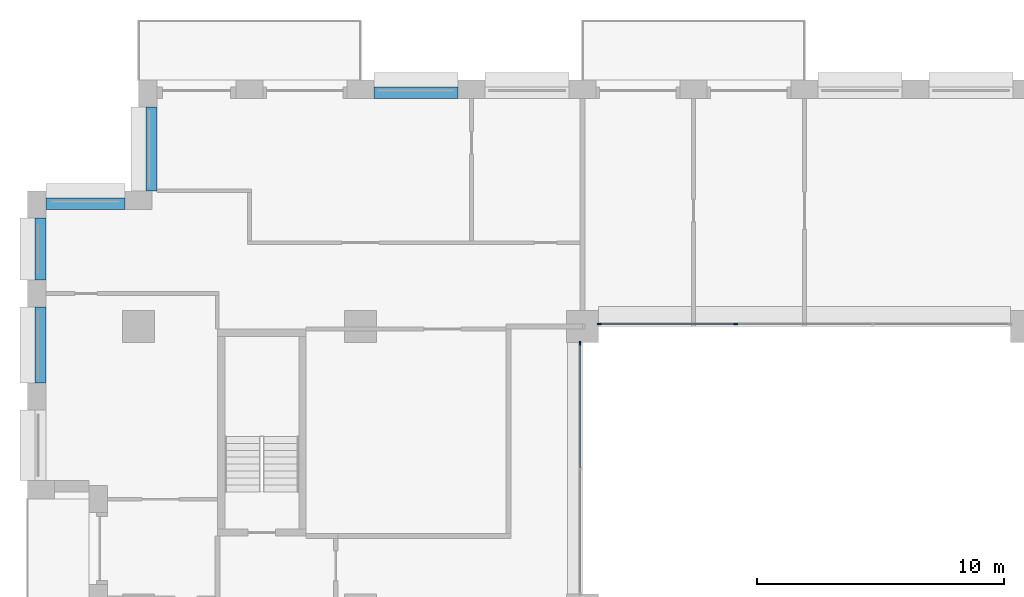
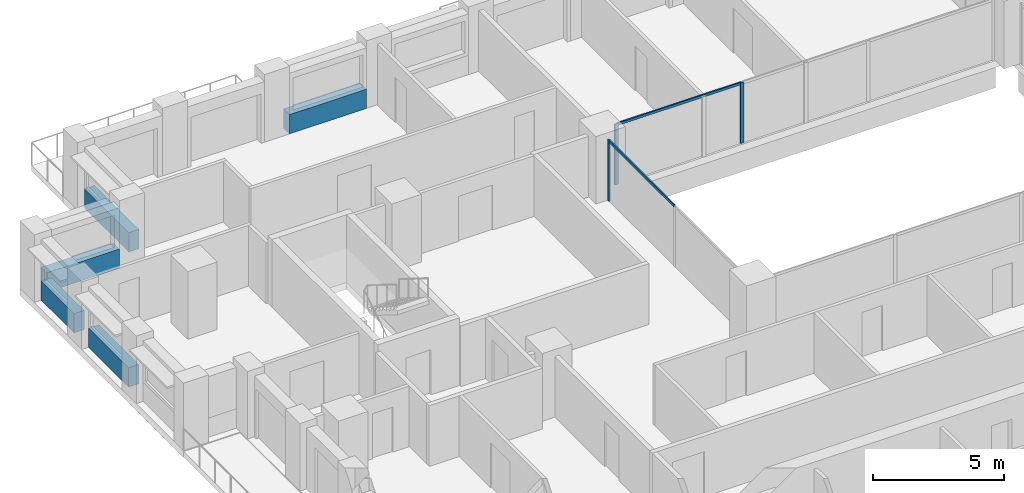
# One storey, part 5 of 16: 5 beams, 5 members, 2 elements without a shape of their own.
"""IFC4 building model written with IfcOpenShell, lengths in metres."""

from ifc_helpers import new_model, si_unit, direction, frame, origin, origin_2d, place, context, subcontext, project, spatial, rectangle, extrude, material, layer, layer_set, material_profile, profile_set, type_object, element, aggregate, save


model = new_model("IFC4")

# Units and contexts
model_context = context("Model", 3, precision=1e-05, world=origin(), true_north=direction((0.0, 1.0)))
body_context = subcontext(model_context, "Body", "Model", "MODEL_VIEW")
ifc_project = project(units=[si_unit("LENGTHUNIT", "METRE"), si_unit("AREAUNIT", "SQUARE_METRE"), si_unit("VOLUMEUNIT", "CUBIC_METRE"), si_unit("PLANEANGLEUNIT", "RADIAN"), si_unit("MASSUNIT", "GRAM", prefix="KILO")], contexts=[model_context])

# Site, building, storey
site_placement = place(None, origin())
site = spatial("IfcSite", under=ifc_project, at=site_placement, CompositionType="ELEMENT")
building_placement = place(site_placement, origin())
building = spatial("IfcBuilding", under=site, at=building_placement, Name="Brigalow Station Residences", CompositionType="ELEMENT")
storey_placement = place(building_placement, frame((0.0, 0.0, 118.199951171875)))
storey = spatial("IfcBuildingStorey", under=building, at=storey_placement, Name="L34", CompositionType="ELEMENT", Elevation=118.199951171875)

# Curtain wall, members
ifc_material_1 = material(Name="Aluminium", Category="aluminium")
ifc_layer = layer(ifc_material_1, 0.14990234375)
ifc_layer_set = layer_set([ifc_layer], Name="ATRIUM FIRE-RATED GLAZING CURTAIN WALL")
curtain_wall_type = type_object("IfcCurtainWallType", Name="ATRIUM FIRE-RATED GLAZING CURTAIN WALL", PredefinedType="NOTDEFINED", material=ifc_layer_set)
curtain_wall_1_placement = place(storey_placement, origin())
curtain_wall_1 = element("IfcCurtainWall", 1, at=curtain_wall_1_placement, inside=storey, type_object=curtain_wall_type, Name="L34/cw/atrium-N", PredefinedType="NOTDEFINED")
ifc_material_2 = material(Name="Aluminium", Category="aluminium")
ifc_material_profile_1 = material_profile(ifc_material_2, rectangle(XDim=0.06005859375, YDim=0.14990234375, at=origin_2d()), Name="ATRIUM FIRE-RATED GLAZING MULLION 60x150")
ifc_profile_set_1 = profile_set([ifc_material_profile_1], Name="Aluminium")
member_type_1 = type_object("IfcMemberType", Name="ATRIUM FIRE-RATED GLAZING MULLION 60x150", PredefinedType="MULLION", material=ifc_profile_set_1)
member_1_placement = place(storey_placement, frame((33.216796875, 35.60009765625, 0.0), z_axis=(0.0, 0.0, 1.0), x_axis=(0.0, -1.0, 0.0)))
member_1 = element("IfcMember", 2, at=member_1_placement, type_object=member_type_1, Name="L34/cw/atrium-N/M02", PredefinedType="MULLION", context=body_context, shape_type="SweptSolid", body=[
    extrude(rectangle(XDim=0.06005859375, YDim=0.14990234375, at=origin_2d()), origin(), (0.0, 0.0, 1.0), 2.830078125),
])
member_2_placement = place(storey_placement, frame((27.679931640625, 35.60009765625, 0.0), z_axis=(0.0, 0.0, 1.0), x_axis=(0.0, -1.0, 0.0)))
member_2 = element("IfcMember", 3, at=member_2_placement, type_object=member_type_1, Name="L34/cw/atrium-N/M03", PredefinedType="MULLION", context=body_context, shape_type="SweptSolid", body=[
    extrude(rectangle(XDim=0.06005859375, YDim=0.14990234375, at=origin_2d()), origin(), (0.0, 0.0, 1.0), 2.830078125),
])

# Curtain wall, member
curtain_wall_2_placement = place(storey_placement, origin())
curtain_wall_2 = element("IfcCurtainWall", 4, at=curtain_wall_2_placement, inside=storey, type_object=curtain_wall_type, Name="L34/cw/atrium-W", PredefinedType="NOTDEFINED")
member_3_placement = place(storey_placement, frame((26.89990234375, 34.820068359375, 0.0), z_axis=(0.0, 0.0, 1.0), x_axis=(1.0, 0.0, 0.0)))
member_3 = element("IfcMember", 5, at=member_3_placement, type_object=member_type_1, Name="L34/cw/atrium-W/M00", PredefinedType="MULLION", context=body_context, shape_type="SweptSolid", body=[
    extrude(rectangle(XDim=0.06005859375, YDim=0.14990234375, at=origin_2d()), origin(), (0.0, 0.0, 1.0), 2.830078125),
])

# Member
ifc_material_3 = material(Name="Aluminium", Category="aluminium")
ifc_material_profile_2 = material_profile(ifc_material_3, rectangle(XDim=0.06005859375, YDim=0.1201171875, at=origin_2d()), Name="ATRIUM FIRE-RATED GLAZING TRANSOM 60x120")
ifc_profile_set_2 = profile_set([ifc_material_profile_2], Name="Aluminium")
member_type_2 = type_object("IfcMemberType", Name="ATRIUM FIRE-RATED GLAZING TRANSOM 60x120", PredefinedType="USERDEFINED", material=ifc_profile_set_2)
member_4_placement = place(storey_placement, frame((33.186767578125, 35.60009765625, 2.800048828125), z_axis=(-1.0, 0.0, 0.0), x_axis=(0.0, -1.0, 0.0)))
member_4 = element("IfcMember", 6, at=member_4_placement, type_object=member_type_2, Name="L34/cw/atrium-N/T02-00", ObjectType="TRANSOM", PredefinedType="USERDEFINED", context=body_context, shape_type="SweptSolid", body=[
    extrude(rectangle(XDim=0.06005859375, YDim=0.1201171875, at=origin_2d()), origin(), (0.0, 0.0, 1.0), 5.476806640625),
])

aggregate(curtain_wall_1, [member_1, member_2, member_4])

member_5_placement = place(storey_placement, frame((26.89990234375, 34.7900390625, 2.800048828125), z_axis=(0.0, -1.0, 0.0), x_axis=(1.0, 0.0, 0.0)))
member_5 = element("IfcMember", 7, at=member_5_placement, type_object=member_type_2, Name="L34/cw/atrium-W/T00-00", ObjectType="TRANSOM", PredefinedType="USERDEFINED", context=body_context, shape_type="SweptSolid", body=[
    extrude(rectangle(XDim=0.06005859375, YDim=0.1201171875, at=origin_2d()), origin(), (0.0, 0.0, 1.0), 5.010009765625),
])

aggregate(curtain_wall_2, [member_3, member_5])

# Beams
ifc_material_4 = material(Name="Concrete C65", Category="concrete")
ifc_material_profile_3 = material_profile(ifc_material_4, rectangle(XDim=0.449951171875, YDim=0.89990234375, at=origin_2d()), Name="RC450x900")
ifc_profile_set_3 = profile_set([ifc_material_profile_3], Name="Concrete C65")
beam_type = type_object("IfcBeamType", Name="SPANDREL BEAM 450x900 C65", PredefinedType="SPANDREL", material=ifc_profile_set_3)
for number, where, z_axis, x_axis, name in (
    (8, (21.949951171875, 44.97509765625, 0.449951171875), (-1.0, 0.0, 0.0), (0.0, -1.0, 0.0), "L34/spandrel/W-L34-34"),
    (9, (9.52490234375, 44.39990234375, 0.449951171875), (0.0, -1.0, 0.0), (1.0, 0.0, 0.0), "L34/spandrel/W-L34-37"),
):
    element("IfcBeam", number, at=place(storey_placement, frame(where, z_axis=z_axis, x_axis=x_axis)), inside=storey, type_object=beam_type, Name=name, PredefinedType="SPANDREL", context=body_context, shape_type="SweptSolid", body=[
        extrude(rectangle(XDim=0.449951171875, YDim=0.89990234375, at=origin_2d()), origin(), (0.0, 0.0, 1.0), 3.39990234375),
    ])
beam_1_placement = place(storey_placement, frame((8.449951171875, 40.47509765625, 0.449951171875), z_axis=(-1.0, 0.0, 0.0), x_axis=(0.0, -1.0, 0.0)))
element("IfcBeam", 10, at=beam_1_placement, inside=storey, type_object=beam_type, Name="L34/spandrel/W-L34-38", PredefinedType="SPANDREL", context=body_context, shape_type="SweptSolid", body=[
    extrude(rectangle(XDim=0.449951171875, YDim=0.89990234375, at=origin_2d()), origin(), (0.0, 0.0, 1.0), 3.199951171875),
])
beam_2_placement = place(storey_placement, frame((5.02490234375, 39.89990234375, 0.449951171875), z_axis=(0.0, -1.0, 0.0), x_axis=(1.0, 0.0, 0.0)))
element("IfcBeam", 11, at=beam_2_placement, inside=storey, type_object=beam_type, Name="L34/spandrel/W-L34-39", PredefinedType="SPANDREL", context=body_context, shape_type="SweptSolid", body=[
    extrude(rectangle(XDim=0.449951171875, YDim=0.89990234375, at=origin_2d()), origin(), (0.0, 0.0, 1.0), 2.516845703125),
])
beam_3_placement = place(storey_placement, frame((5.02490234375, 36.282958984375, 0.449951171875), z_axis=(0.0, -1.0, 0.0), x_axis=(1.0, 0.0, 0.0)))
element("IfcBeam", 12, at=beam_3_placement, inside=storey, type_object=beam_type, Name="L34/spandrel/W-L34-40", PredefinedType="SPANDREL", context=body_context, shape_type="SweptSolid", body=[
    extrude(rectangle(XDim=0.449951171875, YDim=0.89990234375, at=origin_2d()), origin(), (0.0, 0.0, 1.0), 3.06591796875),
])

save(model, "model.ifc")
